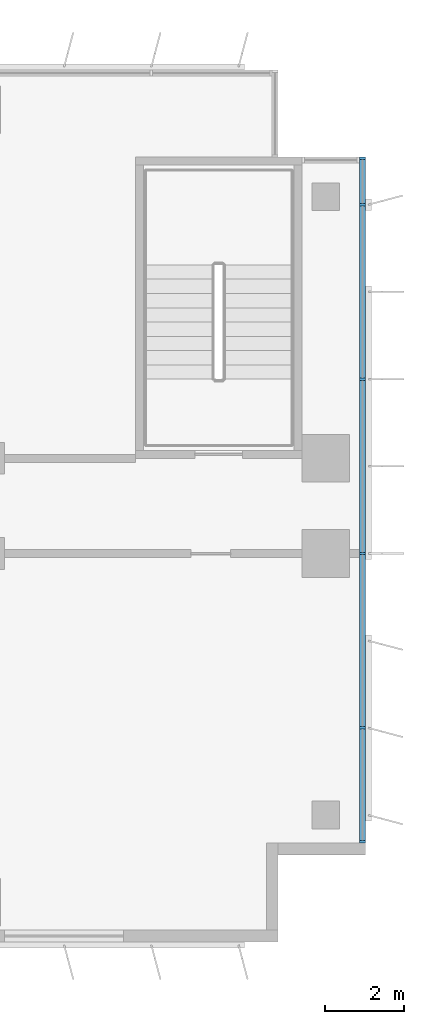
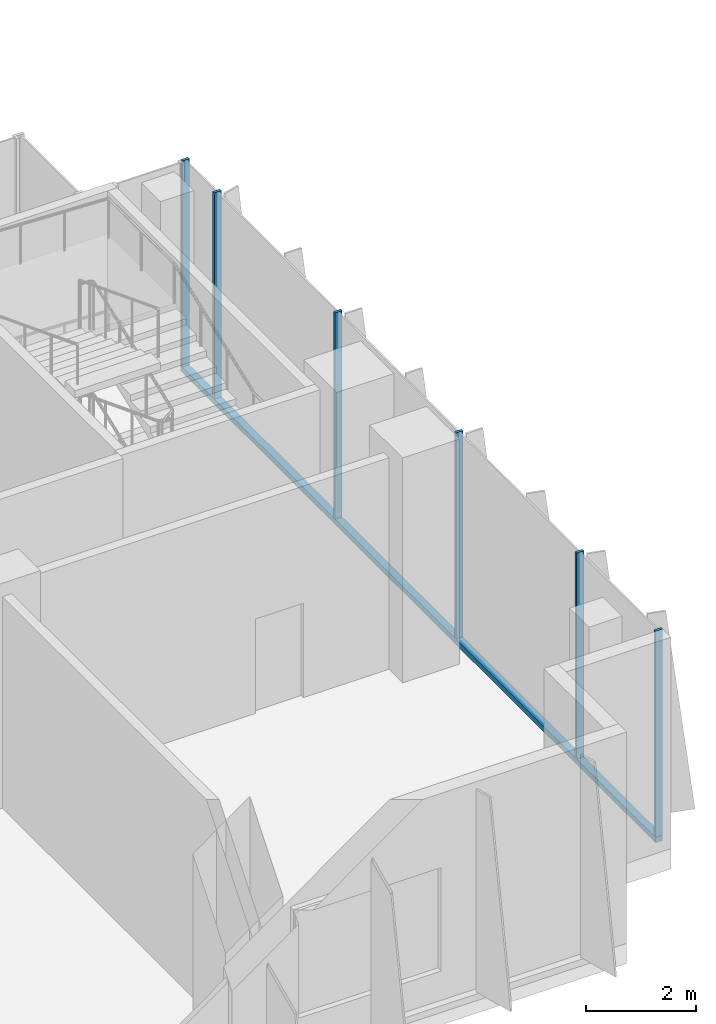
# One storey, part 8 of 21: 7 members, 1 element without a shape of its own.
"""IFC4 building model written with IfcOpenShell, lengths in metres."""

from ifc_helpers import new_model, si_unit, direction, frame, origin, origin_2d, place, context, subcontext, project, spatial, rectangle, extrude, source, transform, mapped, material, material_profile, profile_set, type_object, element, aggregate, save


model = new_model("IFC4")

# Units and contexts
model_context = context("Model", 3, precision=1e-05, world=origin(), true_north=direction((0.0, 1.0)))
body_context = subcontext(model_context, "Body", "Model", "MODEL_VIEW")
ifc_project = project(units=[si_unit("LENGTHUNIT", "METRE"), si_unit("AREAUNIT", "SQUARE_METRE"), si_unit("VOLUMEUNIT", "CUBIC_METRE"), si_unit("PLANEANGLEUNIT", "RADIAN"), si_unit("MASSUNIT", "GRAM", prefix="KILO")], contexts=[model_context])

# Site, building, storey
site_placement = place(None, origin())
site = spatial("IfcSite", under=ifc_project, at=site_placement, CompositionType="ELEMENT")
building_placement = place(site_placement, origin())
building = spatial("IfcBuilding", under=site, at=building_placement, Name="Kemantara Hotel Tower", CompositionType="ELEMENT")
storey_placement = place(building_placement, frame((0.0, 0.0, 133.300048828125)))
storey = spatial("IfcBuildingStorey", under=building, at=storey_placement, Name="L32", CompositionType="ELEMENT", Elevation=133.300048828125)

# Curtain wall, members
ifc_material_1 = material(Name="Low-E tinted double insulated glass 36 mm", Category="glass")
curtain_wall_type = type_object("IfcCurtainWallType", Name="TOWER CURTAIN WALL, FRONT FACES", PredefinedType="USERDEFINED", material=ifc_material_1)
curtain_wall_placement = place(storey_placement, origin())
curtain_wall = element("IfcCurtainWall", 1, at=curtain_wall_placement, inside=storey, type_object=curtain_wall_type, Name="CW4 L32 T2-R10-1", ObjectType="TOWER CURTAIN WALL, FRONT FACES", PredefinedType="USERDEFINED")
ifc_material_2 = material(Name="Aluminium 6063-T6 bronze anodised", Category="aluminium")
ifc_material_profile_1 = material_profile(ifc_material_2, rectangle(XDim=0.14990234375, YDim=0.1201171875, at=origin_2d()), Name="TOWER CURTAIN WALL, FRONT FACES TRANSOM")
ifc_profile_set_1 = profile_set([ifc_material_profile_1], Name="Aluminium 6063-T6 bronze anodised")
member_type_1 = type_object("IfcMemberType", Name="TOWER CURTAIN WALL, FRONT FACES TRANSOM", PredefinedType="USERDEFINED", material=ifc_profile_set_1)
member_1_placement = place(storey_placement, frame((63.52490234375, 2.5, 0.06005859375), z_axis=(0.0, 1.0, 0.0), x_axis=(-1.0, 0.0, 0.0)))
member_1 = element("IfcMember", 2, at=member_1_placement, type_object=member_type_1, Name="CW4 sill transom T2-R10-1", ObjectType="TRANSOM", PredefinedType="USERDEFINED", context=body_context, shape_type="SweptSolid", body=[
    extrude(rectangle(XDim=0.14990234375, YDim=0.1201171875, at=origin_2d()), origin(), (0.0, 0.0, 1.0), 17.300048828125),
])
ifc_material_profile_2 = material_profile(ifc_material_2, rectangle(XDim=0.14990234375, YDim=0.06005859375, at=origin_2d()), Name="TOWER CURTAIN WALL, FRONT FACES MULLION")
ifc_profile_set_2 = profile_set([ifc_material_profile_2], Name="Aluminium 6063-T6 bronze anodised")
member_type_2 = type_object("IfcMemberType", Name="TOWER CURTAIN WALL, FRONT FACES MULLION", PredefinedType="MULLION", material=ifc_profile_set_2)
shared_shape = source(origin(), body_context, "Body", "SweptSolid", [
    extrude(rectangle(XDim=0.14990234375, YDim=0.06005859375, at=origin_2d()), origin(), (0.0, 0.0, 1.0), 4.580078125),
])
member_2_placement = place(storey_placement, frame((63.52490234375, 2.530029296875, 0.119873046875), z_axis=(0.0, 0.0, 1.0), x_axis=(-1.0, 0.0, 0.0)))
member_2 = element("IfcMember", 3, at=member_2_placement, type_object=member_type_2, Name="CW4 mullion T2-R10-1.1", PredefinedType="MULLION", context=body_context, shape_type="MappedRepresentation", body=[
    mapped(shared_shape, transform((0.0, 0.0, 0.0))),
])
member_3_placement = place(storey_placement, frame((63.52490234375, 5.39990234375, 0.119873046875), z_axis=(0.0, 0.0, 1.0), x_axis=(-1.0, 0.0, 0.0)))
member_3 = element("IfcMember", 4, at=member_3_placement, type_object=member_type_2, Name="CW4 mullion T2-R10-1.2", PredefinedType="MULLION", context=body_context, shape_type="MappedRepresentation", body=[
    mapped(shared_shape, transform((0.0, 0.0, 0.0))),
])
member_4_placement = place(storey_placement, frame((63.52490234375, 9.800048828125, 0.119873046875), z_axis=(0.0, 0.0, 1.0), x_axis=(-1.0, 0.0, 0.0)))
member_4 = element("IfcMember", 5, at=member_4_placement, type_object=member_type_2, Name="CW4 mullion T2-R10-1.3", PredefinedType="MULLION", context=body_context, shape_type="MappedRepresentation", body=[
    mapped(shared_shape, transform((0.0, 0.0, 0.0))),
])
member_5_placement = place(storey_placement, frame((63.52490234375, 14.199951171875, 0.119873046875), z_axis=(0.0, 0.0, 1.0), x_axis=(-1.0, 0.0, 0.0)))
member_5 = element("IfcMember", 6, at=member_5_placement, type_object=member_type_2, Name="CW4 mullion T2-R10-1.4", PredefinedType="MULLION", context=body_context, shape_type="MappedRepresentation", body=[
    mapped(shared_shape, transform((0.0, 0.0, 0.0))),
])
member_6_placement = place(storey_placement, frame((63.52490234375, 18.60009765625, 0.119873046875), z_axis=(0.0, 0.0, 1.0), x_axis=(-1.0, 0.0, 0.0)))
member_6 = element("IfcMember", 7, at=member_6_placement, type_object=member_type_2, Name="CW4 mullion T2-R10-1.5", PredefinedType="MULLION", context=body_context, shape_type="MappedRepresentation", body=[
    mapped(shared_shape, transform((0.0, 0.0, 0.0))),
])
member_7_placement = place(storey_placement, frame((63.52490234375, 19.77001953125, 0.119873046875), z_axis=(0.0, 0.0, 1.0), x_axis=(-1.0, 0.0, 0.0)))
member_7 = element("IfcMember", 8, at=member_7_placement, type_object=member_type_2, Name="CW4 mullion T2-R10-1.6", PredefinedType="MULLION", context=body_context, shape_type="MappedRepresentation", body=[
    mapped(shared_shape, transform((0.0, 0.0, 0.0))),
])
aggregate(curtain_wall, [member_1, member_2, member_3, member_4, member_5, member_6, member_7])

save(model, "model.ifc")
